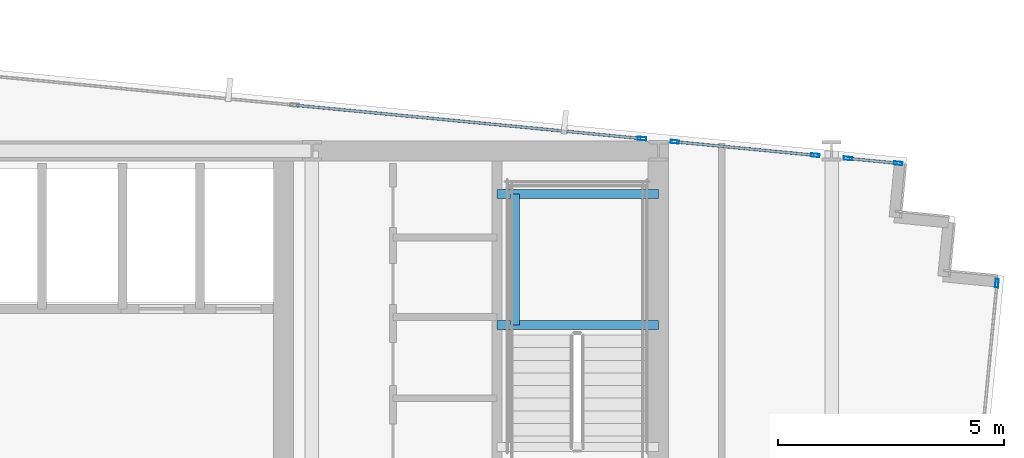
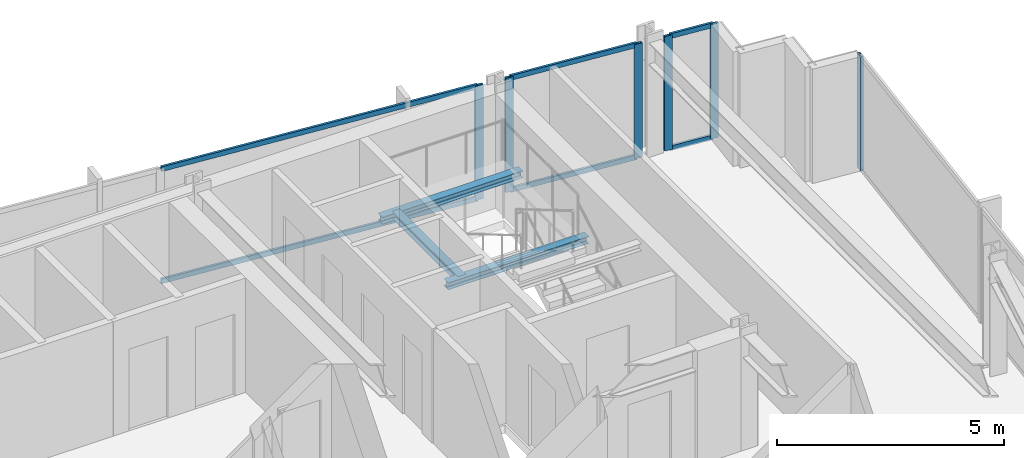
# One storey, part 27 of 38: 12 members, 3 beams, 4 elements without a shape of their own.
"""IFC4 building model written with IfcOpenShell, lengths in metres."""

from ifc_helpers import new_model, si_unit, direction, frame, origin, origin_2d, place, context, subcontext, project, spatial, hollow_rectangle, i_section, extrude, material, material_profile, profile_set, type_object, element, aggregate, save


model = new_model("IFC4")

# Units and contexts
model_context = context("Model", 3, precision=1e-05, world=origin(), true_north=direction((0.0, 1.0)))
body_context = subcontext(model_context, "Body", "Model", "MODEL_VIEW")
ifc_project = project(units=[si_unit("LENGTHUNIT", "METRE"), si_unit("AREAUNIT", "SQUARE_METRE"), si_unit("VOLUMEUNIT", "CUBIC_METRE"), si_unit("PLANEANGLEUNIT", "RADIAN"), si_unit("MASSUNIT", "GRAM", prefix="KILO")], contexts=[model_context])

# Site, building, storey
site_placement = place(None, origin())
site = spatial("IfcSite", under=ifc_project, at=site_placement, CompositionType="ELEMENT")
building_placement = place(site_placement, origin())
building = spatial("IfcBuilding", under=site, at=building_placement, Name="Yelkora Congress Tower", CompositionType="ELEMENT")
storey_placement = place(building_placement, frame((0.0, 0.0, 178.699951171875)))
storey = spatial("IfcBuildingStorey", under=building, at=storey_placement, Name="L49", CompositionType="ELEMENT", Elevation=178.699951171875)

# Beams
ifc_material_1 = material(Name="Steel S355J2", Category="steel")
ifc_material_profile_1 = material_profile(ifc_material_1, i_section(OverallWidth=0.199951171875, OverallDepth=0.18994140625, WebThickness=0.006591796875, FlangeThickness=0.010009765625, FilletRadius=0.01806640625, at=origin_2d()), Name="HEA 200")
ifc_profile_set_1 = profile_set([ifc_material_profile_1], Name="Steel S355J2")
beam_type = type_object("IfcBeamType", Name="BM-LAND-HEA200", PredefinedType="BEAM", material=ifc_profile_set_1)
for number, where, z_axis, x_axis, name in (
    (1, (50.179931640625, 42.340087890625, 1.334716796875), (1.0, 0.0, 0.0), (0.0, 1.0, 0.0), "ST-02 L49 Landing Header Beam 1S"),
    (2, (50.179931640625, 45.25, 1.334716796875), (1.0, 0.0, 0.0), (0.0, 1.0, 0.0), "ST-02 L49 Landing Header Beam 1N"),
):
    element("IfcBeam", number, at=place(storey_placement, frame(where, z_axis=z_axis, x_axis=x_axis)), inside=storey, type_object=beam_type, Name=name, PredefinedType="BEAM", context=body_context, shape_type="SweptSolid", body=[
        extrude(i_section(OverallWidth=0.199951171875, OverallDepth=0.18994140625, WebThickness=0.006591796875, FlangeThickness=0.010009765625, FilletRadius=0.01806640625, at=origin_2d()), origin(), (0.0, 0.0, 1.0), 3.580078125),
    ])
beam_placement = place(storey_placement, frame((50.580078125, 42.340087890625, 1.334716796875), z_axis=(0.0, 1.0, 0.0), x_axis=(-1.0, 0.0, 0.0)))
element("IfcBeam", 3, at=beam_placement, inside=storey, type_object=beam_type, Name="ST-02 L49 Landing Trimmer Beam 1M", PredefinedType="BEAM", context=body_context, shape_type="SweptSolid", body=[
    extrude(i_section(OverallWidth=0.199951171875, OverallDepth=0.18994140625, WebThickness=0.006591796875, FlangeThickness=0.010009765625, FilletRadius=0.01806640625, at=origin_2d()), origin(), (0.0, 0.0, 1.0), 2.909912109375),
])

# Curtain wall, member
ifc_material_2 = material(Name="Anodised aluminium and insulated glass", Category="aluminium")
curtain_wall_type = type_object("IfcCurtainWallType", Name="CW-SYS-B3", PredefinedType="NOTDEFINED", material=ifc_material_2)
curtain_wall_1_placement = place(storey_placement, origin())
curtain_wall_1 = element("IfcCurtainWall", 4, at=curtain_wall_1_placement, inside=storey, type_object=curtain_wall_type, Name="L49 Unitised Curtain Wall 10 (1)", PredefinedType="NOTDEFINED")
ifc_material_3 = material(Name="Anodised aluminium 6063-T6", Category="aluminium")
ifc_material_profile_2 = material_profile(ifc_material_3, hollow_rectangle(XDim=0.070068359375, YDim=0.18994140625, WallThickness=0.00390625, at=origin_2d()), Name="ALU 70x190x4")
ifc_profile_set_2 = profile_set([ifc_material_profile_2], Name="Anodised aluminium 6063-T6")
member_type_1 = type_object("IfcMemberType", Name="MEM-ML-B3", PredefinedType="MULLION", material=ifc_profile_set_2)
member_1_placement = place(storey_placement, frame((53.396240234375, 46.47314453125, 0.0), z_axis=(0.0, 0.0, 1.0), x_axis=(0.095844761168, 0.995396293823, 0.0)))
member_1 = element("IfcMember", 5, at=member_1_placement, type_object=member_type_1, Name="CW-B3 mullion 7", PredefinedType="MULLION", context=body_context, shape_type="SweptSolid", body=[
    extrude(hollow_rectangle(XDim=0.070068359375, YDim=0.18994140625, WallThickness=0.00390625, at=origin_2d()), origin(), (0.0, 0.0, 1.0), 3.080078125),
])

# Curtain wall, members
curtain_wall_2_placement = place(storey_placement, origin())
curtain_wall_2 = element("IfcCurtainWall", 6, at=curtain_wall_2_placement, inside=storey, type_object=curtain_wall_type, Name="L49 Unitised Curtain Wall 10 (2)", PredefinedType="NOTDEFINED")
member_2_placement = place(storey_placement, frame((54.123779296875, 46.40283203125, 0.0), z_axis=(0.0, 0.0, 1.0), x_axis=(0.095848309157, 0.995395952188, 0.0)))
member_2 = element("IfcMember", 7, at=member_2_placement, type_object=member_type_1, Name="CW-B3 mullion 1", PredefinedType="MULLION", context=body_context, shape_type="SweptSolid", body=[
    extrude(hollow_rectangle(XDim=0.070068359375, YDim=0.18994140625, WallThickness=0.00390625, at=origin_2d()), origin(), (0.0, 0.0, 1.0), 3.080078125),
])
member_3_placement = place(storey_placement, frame((57.236083984375, 46.103271484375, 0.0), z_axis=(0.0, 0.0, 1.0), x_axis=(0.095848309157, 0.995395952188, 0.0)))
member_3 = element("IfcMember", 8, at=member_3_placement, type_object=member_type_1, Name="CW-B3 mullion 2", PredefinedType="MULLION", context=body_context, shape_type="SweptSolid", body=[
    extrude(hollow_rectangle(XDim=0.070068359375, YDim=0.18994140625, WallThickness=0.00390625, at=origin_2d()), origin(), (0.0, 0.0, 1.0), 3.080078125),
])

curtain_wall_3_placement = place(storey_placement, origin())
curtain_wall_3 = element("IfcCurtainWall", 9, at=curtain_wall_3_placement, inside=storey, type_object=curtain_wall_type, Name="L49 Unitised Curtain Wall 10 (3)", PredefinedType="NOTDEFINED")
member_4_placement = place(storey_placement, frame((57.9638671875, 46.033203125, 0.0), z_axis=(0.0, 0.0, 1.0), x_axis=(0.095852281686, 0.995395569658, 0.0)))
member_4 = element("IfcMember", 10, at=member_4_placement, type_object=member_type_1, Name="CW-B3 mullion 1", PredefinedType="MULLION", context=body_context, shape_type="SweptSolid", body=[
    extrude(hollow_rectangle(XDim=0.070068359375, YDim=0.18994140625, WallThickness=0.00390625, at=origin_2d()), origin(), (0.0, 0.0, 1.0), 3.080078125),
])
member_5_placement = place(storey_placement, frame((59.073974609375, 45.92626953125, 0.0), z_axis=(0.0, 0.0, 1.0), x_axis=(0.095852281686, 0.995395569658, 0.0)))
member_5 = element("IfcMember", 11, at=member_5_placement, type_object=member_type_1, Name="CW-B3 mullion 2", PredefinedType="MULLION", context=body_context, shape_type="SweptSolid", body=[
    extrude(hollow_rectangle(XDim=0.070068359375, YDim=0.18994140625, WallThickness=0.00390625, at=origin_2d()), origin(), (0.0, 0.0, 1.0), 3.080078125),
])

# Curtain wall, member
curtain_wall_4_placement = place(storey_placement, origin())
curtain_wall_4 = element("IfcCurtainWall", 12, at=curtain_wall_4_placement, inside=storey, type_object=curtain_wall_type, Name="L49 Unitised Curtain Wall 15", PredefinedType="NOTDEFINED")
member_6_placement = place(storey_placement, frame((61.26416015625, 43.26904296875, 0.0), z_axis=(0.0, 0.0, 1.0), x_axis=(0.995396565076, -0.095841944023, 0.0)))
member_6 = element("IfcMember", 13, at=member_6_placement, type_object=member_type_1, Name="CW-B3 mullion 1", PredefinedType="MULLION", context=body_context, shape_type="SweptSolid", body=[
    extrude(hollow_rectangle(XDim=0.070068359375, YDim=0.18994140625, WallThickness=0.00390625, at=origin_2d()), origin(), (0.0, 0.0, 1.0), 3.080078125),
])
aggregate(curtain_wall_4, [member_6])

# Member
ifc_material_profile_3 = material_profile(ifc_material_3, hollow_rectangle(XDim=0.06005859375, YDim=0.1298828125, WallThickness=0.00390625, at=origin_2d()), Name="ALU 60x130x4")
ifc_profile_set_3 = profile_set([ifc_material_profile_3], Name="Anodised aluminium 6063-T6")
member_type_2 = type_object("IfcMemberType", Name="MEM-TR-B3", PredefinedType="USERDEFINED", material=ifc_profile_set_3)
member_7_placement = place(storey_placement, frame((45.732177734375, 47.2109375, 0.030029296875), z_axis=(0.99539600529, -0.095847757686, 0.0), x_axis=(0.095847757686, 0.99539600529, 0.0)))
member_7 = element("IfcMember", 14, at=member_7_placement, type_object=member_type_2, Name="CW-B3 transom 6.1", ObjectType="TRANSOM", PredefinedType="USERDEFINED", context=body_context, shape_type="SweptSolid", body=[
    extrude(hollow_rectangle(XDim=0.06005859375, YDim=0.1298828125, WallThickness=0.00390625, at=origin_2d()), origin(), (0.0, 0.0, 1.0), 7.66455078125),
])

member_8_placement = place(storey_placement, frame((45.732177734375, 47.2109375, 3.050048828125), z_axis=(0.99539600529, -0.095847757686, 0.0), x_axis=(0.095847757686, 0.99539600529, 0.0)))
member_8 = element("IfcMember", 15, at=member_8_placement, type_object=member_type_2, Name="CW-B3 transom 6.2", ObjectType="TRANSOM", PredefinedType="USERDEFINED", context=body_context, shape_type="SweptSolid", body=[
    extrude(hollow_rectangle(XDim=0.06005859375, YDim=0.1298828125, WallThickness=0.00390625, at=origin_2d()), origin(), (0.0, 0.0, 1.0), 7.66455078125),
])

aggregate(curtain_wall_1, [member_1, member_7, member_8])

member_9_placement = place(storey_placement, frame((54.15869140625, 46.399658203125, 0.030029296875), z_axis=(0.995396582455, -0.095841763536, 0.0), x_axis=(0.095841763536, 0.995396582455, 0.0)))
member_9 = element("IfcMember", 16, at=member_9_placement, type_object=member_type_2, Name="CW-B3 transom 1.1", ObjectType="TRANSOM", PredefinedType="USERDEFINED", context=body_context, shape_type="SweptSolid", body=[
    extrude(hollow_rectangle(XDim=0.06005859375, YDim=0.1298828125, WallThickness=0.00390625, at=origin_2d()), origin(), (0.0, 0.0, 1.0), 3.056884765625),
])

member_10_placement = place(storey_placement, frame((54.15869140625, 46.399658203125, 3.050048828125), z_axis=(0.995396582455, -0.095841763536, 0.0), x_axis=(0.095841763536, 0.995396582455, 0.0)))
member_10 = element("IfcMember", 17, at=member_10_placement, type_object=member_type_2, Name="CW-B3 transom 1.2", ObjectType="TRANSOM", PredefinedType="USERDEFINED", context=body_context, shape_type="SweptSolid", body=[
    extrude(hollow_rectangle(XDim=0.06005859375, YDim=0.1298828125, WallThickness=0.00390625, at=origin_2d()), origin(), (0.0, 0.0, 1.0), 3.056884765625),
])

aggregate(curtain_wall_2, [member_2, member_3, member_9, member_10])

member_11_placement = place(storey_placement, frame((57.998779296875, 46.02978515625, 0.030029296875), z_axis=(0.995402606714, -0.095779175957, 0.0), x_axis=(0.095779175957, 0.995402606714, 0.0)))
member_11 = element("IfcMember", 18, at=member_11_placement, type_object=member_type_2, Name="CW-B3 transom 1.1", ObjectType="TRANSOM", PredefinedType="USERDEFINED", context=body_context, shape_type="SweptSolid", body=[
    extrude(hollow_rectangle(XDim=0.06005859375, YDim=0.1298828125, WallThickness=0.00390625, at=origin_2d()), origin(), (0.0, 0.0, 1.0), 1.045166015625),
])

member_12_placement = place(storey_placement, frame((57.998779296875, 46.02978515625, 3.050048828125), z_axis=(0.995402606714, -0.095779175957, 0.0), x_axis=(0.095779175957, 0.995402606714, 0.0)))
member_12 = element("IfcMember", 19, at=member_12_placement, type_object=member_type_2, Name="CW-B3 transom 1.2", ObjectType="TRANSOM", PredefinedType="USERDEFINED", context=body_context, shape_type="SweptSolid", body=[
    extrude(hollow_rectangle(XDim=0.06005859375, YDim=0.1298828125, WallThickness=0.00390625, at=origin_2d()), origin(), (0.0, 0.0, 1.0), 1.045166015625),
])

aggregate(curtain_wall_3, [member_4, member_5, member_11, member_12])

save(model, "model.ifc")
